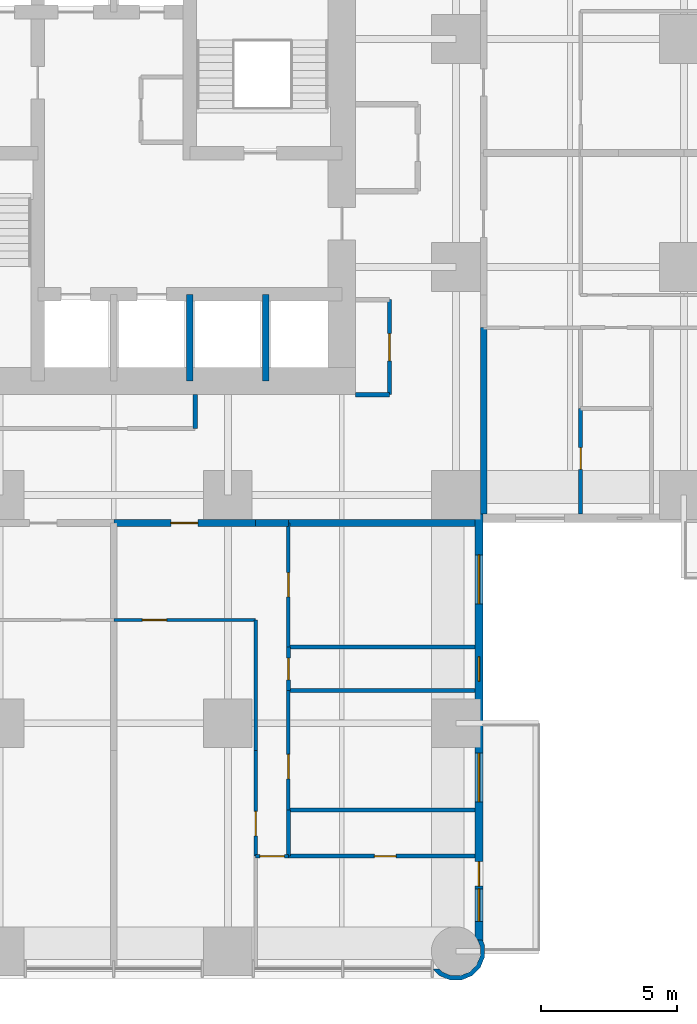
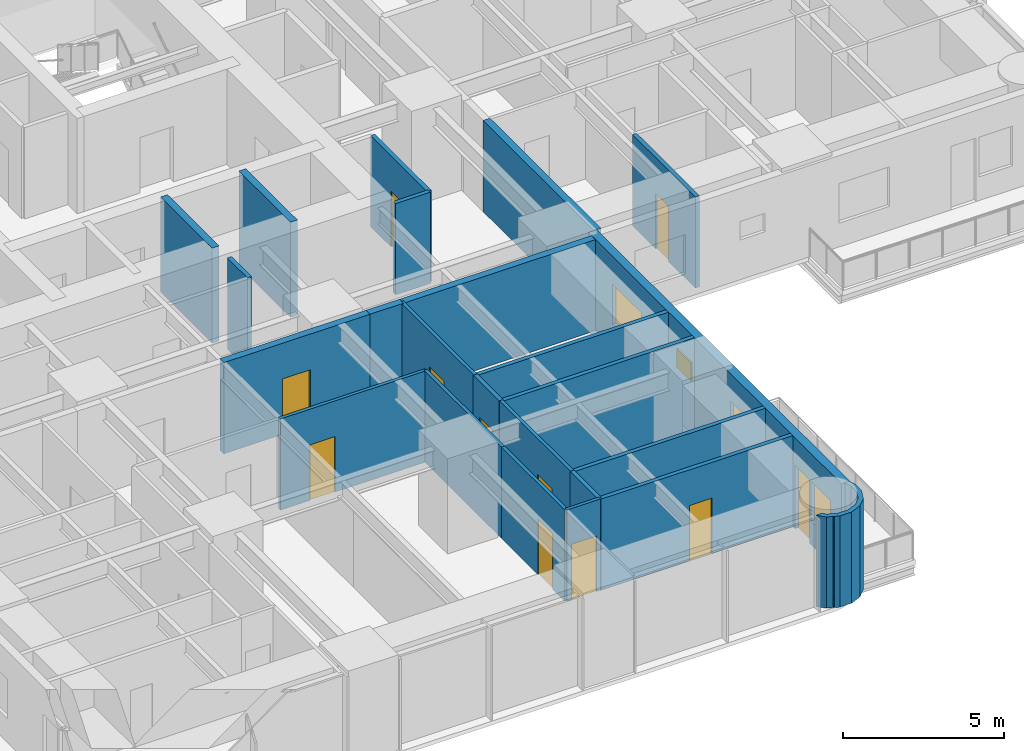
# One storey, part 9 of 17: 24 walls, 11 doors, 4 windows, 15 openings.
"""IFC4 building model written with IfcOpenShell, lengths in metres."""

from ifc_helpers import new_model, si_unit, direction, frame, frame_2d, origin, place, context, subcontext, project, spatial, polyline, rectangle, outline, extrude, material, layer, layer_set, type_object, element, fill, save


model = new_model("IFC4")

# Units and contexts
model_context = context("Model", 3, precision=1e-05, world=origin(), true_north=direction((0.0, 1.0)))
body_context = subcontext(model_context, "Body", "Model", "MODEL_VIEW")
ifc_project = project(units=[si_unit("LENGTHUNIT", "METRE"), si_unit("AREAUNIT", "SQUARE_METRE"), si_unit("VOLUMEUNIT", "CUBIC_METRE"), si_unit("PLANEANGLEUNIT", "RADIAN"), si_unit("MASSUNIT", "GRAM", prefix="KILO")], contexts=[model_context])

# Site, building, storey
site_placement = place(None, origin())
site = spatial("IfcSite", under=ifc_project, at=site_placement, CompositionType="ELEMENT")
building_placement = place(site_placement, origin())
building = spatial("IfcBuilding", under=site, at=building_placement, Name="Torre Alcanfor", CompositionType="ELEMENT")
storey_placement = place(building_placement, frame((0.0, 0.0, 81.300048828125)))
storey = spatial("IfcBuildingStorey", under=building, at=storey_placement, Name="L20", CompositionType="ELEMENT", Elevation=81.300048828125)

# Wall
ifc_material_1 = material(Name="Concrete block masonry, hollow blocks NMX-C-404 9 MPa", Category="masonry")
ifc_layer_1 = layer(ifc_material_1, 0.25)
ifc_layer_set_1 = layer_set([ifc_layer_1], Name="Apartment entrance wall 250 EI 60")
wall_type_1 = type_object("IfcWallType", Name="Apartment entrance wall 250 EI 60", PredefinedType="PARTITIONING", material=ifc_layer_set_1)
wall_1_placement = place(storey_placement, frame((43.02490234375, 22.970947265625, 0.0), z_axis=(0.0, 0.0, 1.0), x_axis=(0.0, -1.0, 0.0)))
element("IfcWall", 1, at=wall_1_placement, inside=storey, type_object=wall_type_1, Name="Partition L20-CORR / L20-E2-SERV", PredefinedType="PARTITIONING", context=body_context, shape_type="SweptSolid", body=[
    extrude(rectangle(XDim=6.870849609375, YDim=0.25, at=frame_2d((3.435546875, 0.0))), origin(), (0.0, 0.0, 1.0), 3.449951171875),
])

# Wall, opening, door
wall_2_placement = place(storey_placement, frame((34.62890625, 15.77490234375, 0.0), z_axis=(0.0, 0.0, 1.0), x_axis=(-1.0, 0.0, 0.0)))
wall_2 = element("IfcWall", 2, at=wall_2_placement, inside=storey, type_object=wall_type_1, Name="Partition L20-CORR / L20-S1-ZAG", PredefinedType="PARTITIONING", context=body_context, shape_type="SweptSolid", body=[
    extrude(rectangle(XDim=5.22900390625, YDim=0.25, at=frame_2d((2.614501953125, 0.0))), origin(), (0.0, 0.0, 1.0), 3.449951171875),
])
opening_1_placement = place(wall_2_placement, frame((2.12890625, 0.0, 0.0)))
opening_1 = element("IfcOpeningElement", 3, at=opening_1_placement, cuts=wall_2, Name="Opening D-A1", PredefinedType="OPENING", context=body_context, shape_type="SweptSolid", body=[
    extrude(rectangle(XDim=1.0, YDim=2.10009765625, at=frame_2d((0.5, 1.050048828125))), frame((0.0, 0.135009765625, 0.0), z_axis=(0.0, -1.0, 0.0), x_axis=(1.0, 0.0, 0.0)), (0.0, 0.0, 1.0), 0.27001953125),
])
ifc_material_2 = material(Name="Galvanised steel sheet ASTM A653", Category="steel")
door_type_1 = type_object("IfcDoorType", Name="Apartment entrance door FD60 1000x2100", OperationType="SINGLE_SWING_LEFT", PredefinedType="DOOR", material=ifc_material_2)
door_1_placement = place(opening_1_placement, origin())
door_1 = element("IfcDoor", 4, at=door_1_placement, inside=storey, type_object=door_type_1, Name="Apartment entrance L20-S1", OperationType="SINGLE_SWING_RIGHT", OverallHeight=2.10009765625, OverallWidth=1.0, PredefinedType="DOOR", context=body_context, shape_type="SweptSolid", body=[
    extrude(rectangle(XDim=1.0, YDim=2.10009765625, at=frame_2d((0.5, 1.050048828125))), frame((0.0, 0.02490234375, 0.0), z_axis=(0.0, -1.0, 0.0), x_axis=(1.0, 0.0, 0.0)), (0.0, 0.0, 1.0), 0.050048828125),
])
fill(opening_1, door_1)

# Walls
wall_3_placement = place(storey_placement, frame((35.8291015625, 15.77490234375, 0.0), z_axis=(0.0, 0.0, 1.0), x_axis=(-1.0, 0.0, 0.0)))
element("IfcWall", 5, at=wall_3_placement, inside=storey, type_object=wall_type_1, Name="Partition L20-CORR / L20-S1-HALL", PredefinedType="PARTITIONING", context=body_context, shape_type="SweptSolid", body=[
    extrude(rectangle(XDim=1.2001953125, YDim=0.25, at=frame_2d((0.60009765625, 0.0))), origin(), (0.0, 0.0, 1.0), 3.449951171875),
])
wall_4_placement = place(storey_placement, frame((42.699951171875, 15.77490234375, 0.0), z_axis=(0.0, 0.0, 1.0), x_axis=(-1.0, 0.0, 0.0)))
element("IfcWall", 6, at=wall_4_placement, inside=storey, type_object=wall_type_1, Name="Partition L20-CORR / L20-S1-BED3", PredefinedType="PARTITIONING", context=body_context, shape_type="SweptSolid", body=[
    extrude(rectangle(XDim=6.870849609375, YDim=0.25, at=frame_2d((3.435546875, 0.0))), origin(), (0.0, 0.0, 1.0), 3.449951171875),
])

# Wall, opening, door
ifc_material_3 = material(Name="Gypsum board on steel studs", Category="steel")
ifc_layer_2 = layer(ifc_material_3, 0.1201171875)
ifc_layer_set_2 = layer_set([ifc_layer_2], Name="Apartment partition 120")
wall_type_2 = type_object("IfcWallType", Name="Apartment partition 120", PredefinedType="PARTITIONING", material=ifc_layer_set_2)
wall_5_placement = place(storey_placement, frame((29.39990234375, 12.199951171875, 0.0), z_axis=(0.0, 0.0, 1.0), x_axis=(1.0, 0.0, 0.0)))
wall_5 = element("IfcWall", 7, at=wall_5_placement, inside=storey, type_object=wall_type_2, Name="Partition L20-S1-ZAG / L20-S1-KITCHEN", PredefinedType="PARTITIONING", context=body_context, shape_type="SweptSolid", body=[
    extrude(rectangle(XDim=5.22900390625, YDim=0.1201171875, at=frame_2d((2.614501953125, 0.0))), origin(), (0.0, 0.0, 1.0), 3.449951171875),
])
opening_2_placement = place(wall_5_placement, frame((1.050048828125, 0.0, 0.0)))
opening_2 = element("IfcOpeningElement", 8, at=opening_2_placement, cuts=wall_5, Name="Opening D-R1", PredefinedType="OPENING", context=body_context, shape_type="SweptSolid", body=[
    extrude(rectangle(XDim=0.89990234375, YDim=2.10009765625, at=frame_2d((0.449951171875, 1.050048828125))), frame((0.0, 0.070068359375, 0.0), z_axis=(0.0, -1.0, 0.0), x_axis=(1.0, 0.0, 0.0)), (0.0, 0.0, 1.0), 0.14013671875),
])
ifc_material_4 = material(Name="Timber", Category="wood")
door_type_2 = type_object("IfcDoorType", Name="Internal door 900x2100", OperationType="SINGLE_SWING_LEFT", PredefinedType="DOOR", material=ifc_material_4)
door_2_placement = place(opening_2_placement, frame((0.89990234375, 0.0, 0.0), z_axis=(0.0, 0.0, 1.0), x_axis=(-1.0, 0.0, 0.0)))
door_2 = element("IfcDoor", 9, at=door_2_placement, inside=storey, type_object=door_type_2, Name="Door L20-S1 kitchen", OperationType="SINGLE_SWING_RIGHT", OverallHeight=2.10009765625, OverallWidth=0.89990234375, PredefinedType="DOOR", context=body_context, shape_type="SweptSolid", body=[
    extrude(rectangle(XDim=0.89990234375, YDim=2.10009765625, at=frame_2d((0.449951171875, 1.050048828125))), frame((0.0, 0.025146484375, 0.0), z_axis=(0.0, -1.0, 0.0), x_axis=(1.0, 0.0, 0.0)), (0.0, 0.0, 1.0), 0.050048828125),
])
fill(opening_2, door_2)

# Wall
wall_6_placement = place(storey_placement, frame((34.62890625, 7.39990234375, 0.0), z_axis=(0.0, 0.0, 1.0), x_axis=(0.0, 1.0, 0.0)))
element("IfcWall", 10, at=wall_6_placement, inside=storey, type_object=wall_type_2, Name="Partition L20-S1-KITCHEN / L20-S1-HALL", PredefinedType="PARTITIONING", context=body_context, shape_type="SweptSolid", body=[
    extrude(rectangle(XDim=4.800048828125, YDim=0.1201171875, at=frame_2d((2.39990234375, 0.0))), origin(), (0.0, 0.0, 1.0), 3.449951171875),
])

# Wall, opening, door
wall_7_placement = place(storey_placement, frame((34.62890625, 3.5, 0.0), z_axis=(0.0, 0.0, 1.0), x_axis=(0.0, 1.0, 0.0)))
wall_7 = element("IfcWall", 11, at=wall_7_placement, inside=storey, type_object=wall_type_2, Name="Partition L20-S1-LIVING / L20-S1-HALL", PredefinedType="PARTITIONING", context=body_context, shape_type="SweptSolid", body=[
    extrude(rectangle(XDim=3.89990234375, YDim=0.1201171875, at=frame_2d((1.949951171875, 0.0))), origin(), (0.0, 0.0, 1.0), 3.449951171875),
])
opening_3_placement = place(wall_7_placement, frame((0.75, 0.0, 0.0)))
opening_3 = element("IfcOpeningElement", 12, at=opening_3_placement, cuts=wall_7, Name="Opening D-R1", PredefinedType="OPENING", context=body_context, shape_type="SweptSolid", body=[
    extrude(rectangle(XDim=0.89990234375, YDim=2.10009765625, at=frame_2d((0.449951171875, 1.050048828125))), frame((0.0, 0.070068359375, 0.0), z_axis=(0.0, -1.0, 0.0), x_axis=(1.0, 0.0, 0.0)), (0.0, 0.0, 1.0), 0.14013671875),
])
door_3_placement = place(opening_3_placement, origin())
door_3 = element("IfcDoor", 13, at=door_3_placement, inside=storey, type_object=door_type_2, Name="Door L20-S1 living", OperationType="SINGLE_SWING_RIGHT", OverallHeight=2.10009765625, OverallWidth=0.89990234375, PredefinedType="DOOR", context=body_context, shape_type="SweptSolid", body=[
    extrude(rectangle(XDim=0.89990234375, YDim=2.10009765625, at=frame_2d((0.449951171875, 1.050048828125))), frame((0.0, 0.02490234375, 0.0), z_axis=(0.0, -1.0, 0.0), x_axis=(1.0, 0.0, 0.0)), (0.0, 0.0, 1.0), 0.050048828125),
])
fill(opening_3, door_3)

wall_8_placement = place(storey_placement, frame((35.8291015625, 11.199951171875, 0.0), z_axis=(0.0, 0.0, 1.0), x_axis=(0.0, 1.0, 0.0)))
wall_8 = element("IfcWall", 14, at=wall_8_placement, inside=storey, type_object=wall_type_2, Name="Partition L20-S1-HALL / L20-S1-BED3", PredefinedType="PARTITIONING", context=body_context, shape_type="SweptSolid", body=[
    extrude(rectangle(XDim=4.574951171875, YDim=0.1201171875, at=frame_2d((2.28759765625, 0.0))), origin(), (0.0, 0.0, 1.0), 3.449951171875),
])
opening_4_placement = place(wall_8_placement, frame((1.85009765625, 0.0, 0.0)))
opening_4 = element("IfcOpeningElement", 15, at=opening_4_placement, cuts=wall_8, Name="Opening D-R1", PredefinedType="OPENING", context=body_context, shape_type="SweptSolid", body=[
    extrude(rectangle(XDim=0.89990234375, YDim=2.10009765625, at=frame_2d((0.449951171875, 1.050048828125))), frame((0.0, 0.070068359375, 0.0), z_axis=(0.0, -1.0, 0.0), x_axis=(1.0, 0.0, 0.0)), (0.0, 0.0, 1.0), 0.14013671875),
])
door_4_placement = place(opening_4_placement, frame((0.89990234375, 0.0, 0.0), z_axis=(0.0, 0.0, 1.0), x_axis=(-1.0, 0.0, 0.0)))
door_4 = element("IfcDoor", 16, at=door_4_placement, inside=storey, type_object=door_type_2, Name="Door L20-S1 bed3", OperationType="SINGLE_SWING_LEFT", OverallHeight=2.10009765625, OverallWidth=0.89990234375, PredefinedType="DOOR", context=body_context, shape_type="SweptSolid", body=[
    extrude(rectangle(XDim=0.89990234375, YDim=2.10009765625, at=frame_2d((0.449951171875, 1.050048828125))), frame((0.0, 0.025146484375, 0.0), z_axis=(0.0, -1.0, 0.0), x_axis=(1.0, 0.0, 0.0)), (0.0, 0.0, 1.0), 0.050048828125),
])
fill(opening_4, door_4)

wall_9_placement = place(storey_placement, frame((35.8291015625, 5.199951171875, 0.0), z_axis=(0.0, 0.0, 1.0), x_axis=(0.0, 1.0, 0.0)))
wall_9 = element("IfcWall", 17, at=wall_9_placement, inside=storey, type_object=wall_type_2, Name="Partition L20-S1-HALL / L20-S1-BED2", PredefinedType="PARTITIONING", context=body_context, shape_type="SweptSolid", body=[
    extrude(rectangle(XDim=4.400146484375, YDim=0.1201171875, at=frame_2d((2.2001953125, 0.0))), origin(), (0.0, 0.0, 1.0), 3.449951171875),
])
opening_5_placement = place(wall_9_placement, frame((1.14990234375, 0.0, 0.0)))
opening_5 = element("IfcOpeningElement", 18, at=opening_5_placement, cuts=wall_9, Name="Opening D-R1", PredefinedType="OPENING", context=body_context, shape_type="SweptSolid", body=[
    extrude(rectangle(XDim=0.89990234375, YDim=2.10009765625, at=frame_2d((0.449951171875, 1.050048828125))), frame((0.0, 0.070068359375, 0.0), z_axis=(0.0, -1.0, 0.0), x_axis=(1.0, 0.0, 0.0)), (0.0, 0.0, 1.0), 0.14013671875),
])
door_5_placement = place(opening_5_placement, frame((0.89990234375, 0.0, 0.0), z_axis=(0.0, 0.0, 1.0), x_axis=(-1.0, 0.0, 0.0)))
door_5 = element("IfcDoor", 19, at=door_5_placement, inside=storey, type_object=door_type_2, Name="Door L20-S1 bed2", OperationType="SINGLE_SWING_RIGHT", OverallHeight=2.10009765625, OverallWidth=0.89990234375, PredefinedType="DOOR", context=body_context, shape_type="SweptSolid", body=[
    extrude(rectangle(XDim=0.89990234375, YDim=2.10009765625, at=frame_2d((0.449951171875, 1.050048828125))), frame((0.0, 0.025146484375, 0.0), z_axis=(0.0, -1.0, 0.0), x_axis=(1.0, 0.0, 0.0)), (0.0, 0.0, 1.0), 0.050048828125),
])
fill(opening_5, door_5)

wall_10_placement = place(storey_placement, frame((34.62890625, 3.5, 0.0), z_axis=(0.0, 0.0, 1.0), x_axis=(1.0, 0.0, 0.0)))
wall_10 = element("IfcWall", 20, at=wall_10_placement, inside=storey, type_object=wall_type_2, Name="Partition L20-S1-HALL / L20-S1-MASTER", PredefinedType="PARTITIONING", context=body_context, shape_type="SweptSolid", body=[
    extrude(rectangle(XDim=1.2001953125, YDim=0.1201171875, at=frame_2d((0.60009765625, 0.0))), origin(), (0.0, 0.0, 1.0), 3.449951171875),
])
opening_6_placement = place(wall_10_placement, frame((0.15087890625, 0.0, 0.0)))
opening_6 = element("IfcOpeningElement", 21, at=opening_6_placement, cuts=wall_10, Name="Opening D-R1", PredefinedType="OPENING", context=body_context, shape_type="SweptSolid", body=[
    extrude(rectangle(XDim=0.89990234375, YDim=2.10009765625, at=frame_2d((0.449951171875, 1.050048828125))), frame((0.0, 0.070068359375, 0.0), z_axis=(0.0, -1.0, 0.0), x_axis=(1.0, 0.0, 0.0)), (0.0, 0.0, 1.0), 0.14013671875),
])
door_6_placement = place(opening_6_placement, frame((0.89990234375, 0.0, 0.0), z_axis=(0.0, 0.0, 1.0), x_axis=(-1.0, 0.0, 0.0)))
door_6 = element("IfcDoor", 22, at=door_6_placement, inside=storey, type_object=door_type_2, Name="Door L20-S1 master", OperationType="SINGLE_SWING_RIGHT", OverallHeight=2.10009765625, OverallWidth=0.89990234375, PredefinedType="DOOR", context=body_context, shape_type="SweptSolid", body=[
    extrude(rectangle(XDim=0.89990234375, YDim=2.10009765625, at=frame_2d((0.449951171875, 1.050048828125))), frame((0.0, 0.025146484375, 0.0), z_axis=(0.0, -1.0, 0.0), x_axis=(1.0, 0.0, 0.0)), (0.0, 0.0, 1.0), 0.050048828125),
])
fill(opening_6, door_6)

# Walls
ifc_material_5 = material(Name="Concrete f'c 70 MPa", Category="concrete")
ifc_layer_3 = layer(ifc_material_5, 0.25)
ifc_layer_set_3 = layer_set([ifc_layer_3], Name="Core shaft wall 250 f'c70")
wall_type_3 = type_object("IfcWallType", Name="Core shaft wall 250 f'c70", PredefinedType="SHEAR", material=ifc_layer_set_3)
for number, where, z_axis, x_axis, name in (
    (23, (32.199951171875, 21.0, 0.0), (0.0, 0.0, 1.0), (0.0, 1.0, 0.0), "Core wall X322S L20"),
    (24, (35.0, 21.0, 0.0), (0.0, 0.0, 1.0), (0.0, 1.0, 0.0), "Core wall X350S L20"),
):
    element("IfcWall", number, at=place(storey_placement, frame(where, z_axis=z_axis, x_axis=x_axis)), inside=storey, type_object=wall_type_3, Name=name, PredefinedType="SHEAR", context=body_context, shape_type="SweptSolid", body=[
        extrude(rectangle(XDim=3.199951171875, YDim=0.25, at=frame_2d((1.60009765625, 0.0))), origin(), (0.0, 0.0, 1.0), 3.599853515625),
    ])

# Wall, openings, door, windows
ifc_material_6 = material(Name="Limestone cladding", Category="masonry")
ifc_layer_4 = layer(ifc_material_6, 0.0400390625, Name="Facing")
ifc_material_7 = material(Name="Ventilated air cavity")
ifc_layer_5 = layer(ifc_material_7, 0.02001953125, ventilated=True, Name="Ventilated joint")
ifc_material_8 = material(Name="Mineral wool insulation", Category="insulation")
ifc_layer_6 = layer(ifc_material_8, 0.10009765625, Name="Insulation")
ifc_material_9 = material(Name="Concrete f'c 35 MPa", Category="concrete")
ifc_layer_7 = layer(ifc_material_9, 0.139892578125, Name="Backing")
ifc_layer_set_4 = layer_set([ifc_layer_4, ifc_layer_5, ifc_layer_6, ifc_layer_7], Name="External wall stone-clad 300")
wall_type_4 = type_object("IfcWallType", Name="External wall stone-clad 300", PredefinedType="SOLIDWALL", material=ifc_layer_set_4)
wall_11_placement = place(storey_placement, frame((42.85009765625, 0.39990234375, 0.0), z_axis=(0.0, 0.0, 1.0), x_axis=(0.0, 1.0, 0.0)))
wall_11 = element("IfcWall", 25, at=wall_11_placement, inside=storey, type_object=wall_type_4, Name="External wall L20 6", PredefinedType="SOLIDWALL", context=body_context, shape_type="SweptSolid", body=[
    extrude(rectangle(XDim=15.7001953125, YDim=0.300048828125, at=frame_2d((7.85009765625, 0.0))), origin(), (0.0, 0.0, 1.0), 3.449951171875),
])
opening_7_placement = place(wall_11_placement, frame((12.39990234375, 0.0, 0.89990234375)))
opening_7 = element("IfcOpeningElement", 26, at=opening_7_placement, cuts=wall_11, Name="Opening W2", PredefinedType="OPENING", context=body_context, shape_type="SweptSolid", body=[
    extrude(rectangle(XDim=1.800048828125, YDim=1.5, at=frame_2d((0.89990234375, 0.75))), frame((0.0, 0.159912109375, 0.0), z_axis=(0.0, -1.0, 0.0), x_axis=(1.0, 0.0, 0.0)), (0.0, 0.0, 1.0), 0.320068359375),
])
opening_8_placement = place(wall_11_placement, frame((9.550048828125, 0.0, 1.5)))
opening_8 = element("IfcOpeningElement", 27, at=opening_8_placement, cuts=wall_11, Name="Opening W3", PredefinedType="OPENING", context=body_context, shape_type="SweptSolid", body=[
    extrude(rectangle(XDim=0.89990234375, YDim=0.699951171875, at=frame_2d((0.449951171875, 0.35009765625))), frame((0.0, 0.159912109375, 0.0), z_axis=(0.0, -1.0, 0.0), x_axis=(1.0, 0.0, 0.0)), (0.0, 0.0, 1.0), 0.320068359375),
])
opening_9_placement = place(wall_11_placement, frame((5.10009765625, 0.0, 0.89990234375)))
opening_9 = element("IfcOpeningElement", 28, at=opening_9_placement, cuts=wall_11, Name="Opening W2", PredefinedType="OPENING", context=body_context, shape_type="SweptSolid", body=[
    extrude(rectangle(XDim=1.800048828125, YDim=1.5, at=frame_2d((0.89990234375, 0.75))), frame((0.0, 0.159912109375, 0.0), z_axis=(0.0, -1.0, 0.0), x_axis=(1.0, 0.0, 0.0)), (0.0, 0.0, 1.0), 0.320068359375),
])
opening_10_placement = place(wall_11_placement, frame((2.0, 0.0, 0.0)))
opening_10 = element("IfcOpeningElement", 29, at=opening_10_placement, cuts=wall_11, Name="Opening D-B1", PredefinedType="OPENING", context=body_context, shape_type="SweptSolid", body=[
    extrude(rectangle(XDim=0.89990234375, YDim=2.39990234375, at=frame_2d((0.449951171875, 1.199951171875))), frame((0.0, 0.159912109375, 0.0), z_axis=(0.0, -1.0, 0.0), x_axis=(1.0, 0.0, 0.0)), (0.0, 0.0, 1.0), 0.320068359375),
])
opening_11_placement = place(wall_11_placement, frame((0.699951171875, 0.0, 0.89990234375)))
opening_11 = element("IfcOpeningElement", 30, at=opening_11_placement, cuts=wall_11, Name="Opening W4", PredefinedType="OPENING", context=body_context, shape_type="SweptSolid", body=[
    extrude(rectangle(XDim=1.199951171875, YDim=1.5, at=frame_2d((0.60009765625, 0.75))), frame((0.0, 0.159912109375, 0.0), z_axis=(0.0, -1.0, 0.0), x_axis=(1.0, 0.0, 0.0)), (0.0, 0.0, 1.0), 0.320068359375),
])
ifc_material_10 = material(Name="Aluminium and glass", Category="aluminium")
door_type_3 = type_object("IfcDoorType", Name="Balcony door glazed 900x2400", OperationType="SINGLE_SWING_LEFT", PredefinedType="DOOR", material=ifc_material_10)
door_7_placement = place(opening_10_placement, origin())
door_7 = element("IfcDoor", 31, at=door_7_placement, inside=storey, type_object=door_type_3, Name="Balcony door L20-S1", OperationType="SINGLE_SWING_RIGHT", OverallHeight=2.39990234375, OverallWidth=0.89990234375, PredefinedType="DOOR", context=body_context, shape_type="SweptSolid", body=[
    extrude(rectangle(XDim=0.89990234375, YDim=2.39990234375, at=frame_2d((0.449951171875, 1.199951171875))), frame((0.0, 0.02490234375, 0.0), z_axis=(0.0, -1.0, 0.0), x_axis=(1.0, 0.0, 0.0)), (0.0, 0.0, 1.0), 0.050048828125),
])
fill(opening_10, door_7)
ifc_material_11 = material(Name="Aluminium frame with clear double glazing", Category="aluminium")
window_type_1 = type_object("IfcWindowType", Name="Window bathroom 900x700", PartitioningType="SINGLE_PANEL", PredefinedType="WINDOW", material=ifc_material_11)
window_1_placement = place(opening_8_placement, origin())
window_1 = element("IfcWindow", 32, at=window_1_placement, inside=storey, type_object=window_type_1, Name="Window W3 L20-S1", OverallHeight=0.699951171875, OverallWidth=0.89990234375, PartitioningType="SINGLE_PANEL", PredefinedType="WINDOW", context=body_context, shape_type="SweptSolid", body=[
    extrude(rectangle(XDim=0.89990234375, YDim=0.699951171875, at=frame_2d((0.449951171875, 0.35009765625))), frame((0.0, 0.030029296875, 0.0), z_axis=(0.0, -1.0, 0.0), x_axis=(1.0, 0.0, 0.0)), (0.0, 0.0, 1.0), 0.06005859375),
])
fill(opening_8, window_1)
ifc_material_12 = material(Name="Aluminium frame with clear double glazing", Category="aluminium")
window_type_2 = type_object("IfcWindowType", Name="Window bedroom 1200x1500", PartitioningType="SINGLE_PANEL", PredefinedType="WINDOW", material=ifc_material_12)
window_2_placement = place(opening_11_placement, origin())
window_2 = element("IfcWindow", 33, at=window_2_placement, inside=storey, type_object=window_type_2, Name="Window W4 L20-S1", OverallHeight=1.5, OverallWidth=1.199951171875, PartitioningType="SINGLE_PANEL", PredefinedType="WINDOW", context=body_context, shape_type="SweptSolid", body=[
    extrude(rectangle(XDim=1.199951171875, YDim=1.5, at=frame_2d((0.60009765625, 0.75))), frame((0.0, 0.030029296875, 0.0), z_axis=(0.0, -1.0, 0.0), x_axis=(1.0, 0.0, 0.0)), (0.0, 0.0, 1.0), 0.06005859375),
])
fill(opening_11, window_2)
ifc_material_13 = material(Name="Aluminium frame with clear double glazing", Category="aluminium")
window_type_3 = type_object("IfcWindowType", Name="Window bedroom 1800x1500", PartitioningType="SINGLE_PANEL", PredefinedType="WINDOW", material=ifc_material_13)
window_3_placement = place(opening_7_placement, origin())
window_3 = element("IfcWindow", 34, at=window_3_placement, inside=storey, type_object=window_type_3, Name="Window W2 L20-S1", OverallHeight=1.5, OverallWidth=1.800048828125, PartitioningType="SINGLE_PANEL", PredefinedType="WINDOW", context=body_context, shape_type="SweptSolid", body=[
    extrude(rectangle(XDim=1.800048828125, YDim=1.5, at=frame_2d((0.89990234375, 0.75))), frame((0.0, 0.030029296875, 0.0), z_axis=(0.0, -1.0, 0.0), x_axis=(1.0, 0.0, 0.0)), (0.0, 0.0, 1.0), 0.06005859375),
])
fill(opening_7, window_3)
window_4_placement = place(opening_9_placement, origin())
window_4 = element("IfcWindow", 35, at=window_4_placement, inside=storey, type_object=window_type_3, Name="Window W2 L20-S1", OverallHeight=1.5, OverallWidth=1.800048828125, PartitioningType="SINGLE_PANEL", PredefinedType="WINDOW", context=body_context, shape_type="SweptSolid", body=[
    extrude(rectangle(XDim=1.800048828125, YDim=1.5, at=frame_2d((0.89990234375, 0.75))), frame((0.0, 0.030029296875, 0.0), z_axis=(0.0, -1.0, 0.0), x_axis=(1.0, 0.0, 0.0)), (0.0, 0.0, 1.0), 0.06005859375),
])
fill(opening_9, window_4)

# Wall
ifc_material_14 = material(Name="Concrete block masonry, hollow blocks NMX-C-404 9 MPa", Category="masonry")
ifc_layer_8 = layer(ifc_material_14, 0.14990234375)
ifc_layer_set_5 = layer_set([ifc_layer_8], Name="Residents' room partition 150")
wall_type_5 = type_object("IfcWallType", Name="Residents' room partition 150", PredefinedType="PARTITIONING", material=ifc_layer_set_5)
wall_12_placement = place(storey_placement, frame((38.300048828125, 20.5, 0.0), z_axis=(0.0, 0.0, 1.0), x_axis=(1.0, 0.0, 0.0)))
element("IfcWall", 36, at=wall_12_placement, inside=storey, type_object=wall_type_5, Name="Partition L20-CORR / L20-G03", PredefinedType="PARTITIONING", context=body_context, shape_type="SweptSolid", body=[
    extrude(rectangle(XDim=1.25, YDim=0.14990234375, at=frame_2d((0.625, 0.0))), origin(), (0.0, 0.0, 1.0), 3.449951171875),
])

# Wall, opening, door
wall_13_placement = place(storey_placement, frame((39.550048828125, 20.5, 0.0), z_axis=(0.0, 0.0, 1.0), x_axis=(0.0, 1.0, 0.0)))
wall_13 = element("IfcWall", 37, at=wall_13_placement, inside=storey, type_object=wall_type_5, Name="Partition L20-CORR / L20-G03", PredefinedType="PARTITIONING", context=body_context, shape_type="SweptSolid", body=[
    extrude(rectangle(XDim=3.5, YDim=0.14990234375, at=frame_2d((1.75, 0.0))), origin(), (0.0, 0.0, 1.0), 3.449951171875),
])
opening_12_placement = place(wall_13_placement, frame((1.25, 0.0, 0.0)))
opening_12 = element("IfcOpeningElement", 38, at=opening_12_placement, cuts=wall_13, Name="Opening D-M1", PredefinedType="OPENING", context=body_context, shape_type="SweptSolid", body=[
    extrude(rectangle(XDim=1.0, YDim=2.10009765625, at=frame_2d((0.5, 1.050048828125))), frame((0.0, 0.0849609375, 0.0), z_axis=(0.0, -1.0, 0.0), x_axis=(1.0, 0.0, 0.0)), (0.0, 0.0, 1.0), 0.169921875),
])
ifc_material_15 = material(Name="Timber", Category="wood")
door_type_4 = type_object("IfcDoorType", Name="Residents' room door 1000x2100", OperationType="SINGLE_SWING_LEFT", PredefinedType="DOOR", material=ifc_material_15)
door_8_placement = place(opening_12_placement, origin())
door_8 = element("IfcDoor", 39, at=door_8_placement, inside=storey, type_object=door_type_4, Name="Door L20-G03 bicycle store", OperationType="SINGLE_SWING_LEFT", OverallHeight=2.10009765625, OverallWidth=1.0, PredefinedType="DOOR", context=body_context, shape_type="SweptSolid", body=[
    extrude(rectangle(XDim=1.0, YDim=2.10009765625, at=frame_2d((0.5, 1.050048828125))), frame((0.0, 0.02490234375, 0.0), z_axis=(0.0, -1.0, 0.0), x_axis=(1.0, 0.0, 0.0)), (0.0, 0.0, 1.0), 0.050048828125),
])
fill(opening_12, door_8)

# Walls
wall_14_placement = place(storey_placement, frame((32.39990234375, 19.25, 0.0), z_axis=(0.0, 0.0, 1.0), x_axis=(0.0, 1.0, 0.0)))
element("IfcWall", 40, at=wall_14_placement, inside=storey, type_object=wall_type_5, Name="Partition L20-CORR / L20-G05", PredefinedType="PARTITIONING", context=body_context, shape_type="SweptSolid", body=[
    extrude(rectangle(XDim=1.25, YDim=0.14990234375, at=frame_2d((0.625, 0.0))), origin(), (0.0, 0.0, 1.0), 3.449951171875),
])
ifc_layer_9 = layer(ifc_material_6, 0.0400390625, Name="Facing")
ifc_layer_10 = layer(ifc_material_7, 0.02001953125, ventilated=True, Name="Ventilated joint")
ifc_layer_11 = layer(ifc_material_8, 0.10009765625, Name="Insulation")
ifc_layer_12 = layer(ifc_material_9, 0.139892578125, Name="Backing")
ifc_layer_set_6 = layer_set([ifc_layer_9, ifc_layer_10, ifc_layer_11, ifc_layer_12], Name="Rounded corner pier stone-clad 300")
wall_type_6 = type_object("IfcWallType", Name="Rounded corner pier stone-clad 300", PredefinedType="SOLIDWALL", material=ifc_layer_set_6)
wall_15_placement = place(storey_placement, frame((41.23340608, -0.610519256, 0.0), z_axis=(0.0, 0.0, 1.0), x_axis=(0.377204953059, -0.926129809145, 0.0)))
element("IfcWall", 41, at=wall_15_placement, inside=storey, type_object=wall_type_6, Name="Corner pier L20 16", PredefinedType="SOLIDWALL", context=body_context, shape_type="SweptSolid", body=[
    extrude(outline(polyline([(0.31873169437185855, 1.8425336525024494), (-0.07152710704046505, 2.001482809968314), (-0.24009471588869835, 2.0005449414227563), (-0.26941358666453996, 2.017231322070639), (-0.37003424962124987, 1.840731870737274), (-0.10240281114565264, 1.842182010528029), (0.22952066537421467, 1.7069923447343507), (0.48468330510664415, 1.4551793700683648), (0.6237907271323827, 1.1248909220292227), (0.6256685839754508, 0.7664021208386822), (0.49047891818177247, 0.4344786443188148), (0.23866594351578668, 0.1793160045863853), (0.09016005264750862, 0.11695717207098313), (0.01086965602056237, -0.07772001681430692), (0.024436010646714988, -0.08324547999388505), (0.3295868985749782, 0.04527476829386376), (0.48015223740573765, 0.19747796194128653), (0.49902760591309464, 0.19268993376963664), (0.5075741737852856, 0.2253240824532252), (0.6260202259498713, 0.3452676153211709), (0.7849693834157356, 0.7355264167334946), (0.7824906971943995, 1.1572636358175066), (0.6187245413991658, 1.5461003251275562), (0.31873169437185855, 1.8425336525024494)])), origin(), (0.0, 0.0, 1.0), 3.449951171875),
])

# Wall, opening, door
ifc_material_16 = material(Name="Cement board on steel studs", Category="steel")
ifc_layer_13 = layer(ifc_material_16, 0.14990234375)
ifc_layer_set_7 = layer_set([ifc_layer_13], Name="Wet area partition 150")
wall_type_7 = type_object("IfcWallType", Name="Wet area partition 150", PredefinedType="PARTITIONING", material=ifc_layer_set_7)
wall_16_placement = place(storey_placement, frame((46.60009765625, 20.0, 0.0), z_axis=(0.0, 0.0, 1.0), x_axis=(0.0, -1.0, 0.0)))
wall_16 = element("IfcWall", 42, at=wall_16_placement, inside=storey, type_object=wall_type_7, Name="Partition L20-E2-SERV / L20-E2-SBATH", PredefinedType="PARTITIONING", context=body_context, shape_type="SweptSolid", body=[
    extrude(rectangle(XDim=3.89990234375, YDim=0.14990234375, at=frame_2d((1.949951171875, 0.0))), origin(), (0.0, 0.0, 1.0), 3.449951171875),
])
opening_13_placement = place(wall_16_placement, frame((1.449951171875, 0.0, 0.0)))
opening_13 = element("IfcOpeningElement", 43, at=opening_13_placement, cuts=wall_16, Name="Opening D-R2", PredefinedType="OPENING", context=body_context, shape_type="SweptSolid", body=[
    extrude(rectangle(XDim=0.800048828125, YDim=2.10009765625, at=frame_2d((0.39990234375, 1.050048828125))), frame((0.0, 0.0849609375, 0.0), z_axis=(0.0, -1.0, 0.0), x_axis=(1.0, 0.0, 0.0)), (0.0, 0.0, 1.0), 0.169921875),
])
ifc_material_17 = material(Name="Timber", Category="wood")
door_type_5 = type_object("IfcDoorType", Name="Bathroom door 800x2100", OperationType="SINGLE_SWING_LEFT", PredefinedType="DOOR", material=ifc_material_17)
door_9_placement = place(opening_13_placement, origin())
door_9 = element("IfcDoor", 44, at=door_9_placement, inside=storey, type_object=door_type_5, Name="Door L20-E2 sbath", OperationType="SINGLE_SWING_LEFT", OverallHeight=2.10009765625, OverallWidth=0.800048828125, PredefinedType="DOOR", context=body_context, shape_type="SweptSolid", body=[
    extrude(rectangle(XDim=0.800048828125, YDim=2.10009765625, at=frame_2d((0.39990234375, 1.050048828125))), frame((0.0, 0.02490234375, 0.0), z_axis=(0.0, -1.0, 0.0), x_axis=(1.0, 0.0, 0.0)), (0.0, 0.0, 1.0), 0.050048828125),
])
fill(opening_13, door_9)

wall_17_placement = place(storey_placement, frame((35.8291015625, 9.60009765625, 0.0), z_axis=(0.0, 0.0, 1.0), x_axis=(0.0, 1.0, 0.0)))
wall_17 = element("IfcWall", 45, at=wall_17_placement, inside=storey, type_object=wall_type_7, Name="Partition L20-S1-HALL / L20-S1-BATH1", PredefinedType="PARTITIONING", context=body_context, shape_type="SweptSolid", body=[
    extrude(rectangle(XDim=1.599853515625, YDim=0.14990234375, at=frame_2d((0.7998046875, 0.0))), origin(), (0.0, 0.0, 1.0), 3.449951171875),
])
opening_14_placement = place(wall_17_placement, frame((0.39990234375, 0.0, 0.0)))
opening_14 = element("IfcOpeningElement", 46, at=opening_14_placement, cuts=wall_17, Name="Opening D-R2", PredefinedType="OPENING", context=body_context, shape_type="SweptSolid", body=[
    extrude(rectangle(XDim=0.800048828125, YDim=2.10009765625, at=frame_2d((0.39990234375, 1.050048828125))), frame((0.0, 0.0849609375, 0.0), z_axis=(0.0, -1.0, 0.0), x_axis=(1.0, 0.0, 0.0)), (0.0, 0.0, 1.0), 0.169921875),
])
door_10_placement = place(opening_14_placement, frame((0.800048828125, 0.0, 0.0), z_axis=(0.0, 0.0, 1.0), x_axis=(-1.0, 0.0, 0.0)))
door_10 = element("IfcDoor", 47, at=door_10_placement, inside=storey, type_object=door_type_5, Name="Door L20-S1 bath1", OperationType="SINGLE_SWING_RIGHT", OverallHeight=2.10009765625, OverallWidth=0.800048828125, PredefinedType="DOOR", context=body_context, shape_type="SweptSolid", body=[
    extrude(rectangle(XDim=0.800048828125, YDim=2.10009765625, at=frame_2d((0.400146484375, 1.050048828125))), frame((0.0, 0.025146484375, 0.0), z_axis=(0.0, -1.0, 0.0), x_axis=(1.0, 0.0, 0.0)), (0.0, 0.0, 1.0), 0.050048828125),
])
fill(opening_14, door_10)

# Walls
wall_18_placement = place(storey_placement, frame((35.8291015625, 3.5, 0.0), z_axis=(0.0, 0.0, 1.0), x_axis=(0.0, 1.0, 0.0)))
element("IfcWall", 48, at=wall_18_placement, inside=storey, type_object=wall_type_7, Name="Partition L20-S1-HALL / L20-S1-ENSBATH", PredefinedType="PARTITIONING", context=body_context, shape_type="SweptSolid", body=[
    extrude(rectangle(XDim=1.699951171875, YDim=0.14990234375, at=frame_2d((0.85009765625, 0.0))), origin(), (0.0, 0.0, 1.0), 3.449951171875),
])
for number, where, z_axis, x_axis, name in (
    (49, (35.8291015625, 11.199951171875, 0.0), (0.0, 0.0, 1.0), (1.0, 0.0, 0.0), "Partition L20-S1-BED3 / L20-S1-BATH1"),
    (50, (35.8291015625, 9.60009765625, 0.0), (0.0, 0.0, 1.0), (1.0, 0.0, 0.0), "Partition L20-S1-BATH1 / L20-S1-BED2"),
    (51, (35.8291015625, 5.199951171875, 0.0), (0.0, 0.0, 1.0), (1.0, 0.0, 0.0), "Partition L20-S1-BED2 / L20-S1-ENSBATH"),
):
    element("IfcWall", number, at=place(storey_placement, frame(where, z_axis=z_axis, x_axis=x_axis)), inside=storey, type_object=wall_type_7, Name=name, PredefinedType="PARTITIONING", context=body_context, shape_type="SweptSolid", body=[
        extrude(rectangle(XDim=6.870849609375, YDim=0.14990234375, at=frame_2d((3.435546875, 0.0))), origin(), (0.0, 0.0, 1.0), 3.449951171875),
    ])

# Wall, opening, door
wall_19_placement = place(storey_placement, frame((35.8291015625, 3.5, 0.0), z_axis=(0.0, 0.0, 1.0), x_axis=(1.0, 0.0, 0.0)))
wall_19 = element("IfcWall", 52, at=wall_19_placement, inside=storey, type_object=wall_type_7, Name="Partition L20-S1-ENSBATH / L20-S1-MASTER", PredefinedType="PARTITIONING", context=body_context, shape_type="SweptSolid", body=[
    extrude(rectangle(XDim=6.870849609375, YDim=0.14990234375, at=frame_2d((3.435546875, 0.0))), origin(), (0.0, 0.0, 1.0), 3.449951171875),
])
opening_15_placement = place(wall_19_placement, frame((3.1708984375, 0.0, 0.0)))
opening_15 = element("IfcOpeningElement", 53, at=opening_15_placement, cuts=wall_19, Name="Opening D-R2", PredefinedType="OPENING", context=body_context, shape_type="SweptSolid", body=[
    extrude(rectangle(XDim=0.800048828125, YDim=2.10009765625, at=frame_2d((0.39990234375, 1.050048828125))), frame((0.0, 0.0849609375, 0.0), z_axis=(0.0, -1.0, 0.0), x_axis=(1.0, 0.0, 0.0)), (0.0, 0.0, 1.0), 0.169921875),
])
door_11_placement = place(opening_15_placement, origin())
door_11 = element("IfcDoor", 54, at=door_11_placement, inside=storey, type_object=door_type_5, Name="Door L20-S1 ensbath", OperationType="SINGLE_SWING_RIGHT", OverallHeight=2.10009765625, OverallWidth=0.800048828125, PredefinedType="DOOR", context=body_context, shape_type="SweptSolid", body=[
    extrude(rectangle(XDim=0.800048828125, YDim=2.10009765625, at=frame_2d((0.39990234375, 1.050048828125))), frame((0.0, 0.02490234375, 0.0), z_axis=(0.0, -1.0, 0.0), x_axis=(1.0, 0.0, 0.0)), (0.0, 0.0, 1.0), 0.050048828125),
])
fill(opening_15, door_11)

save(model, "model.ifc")
